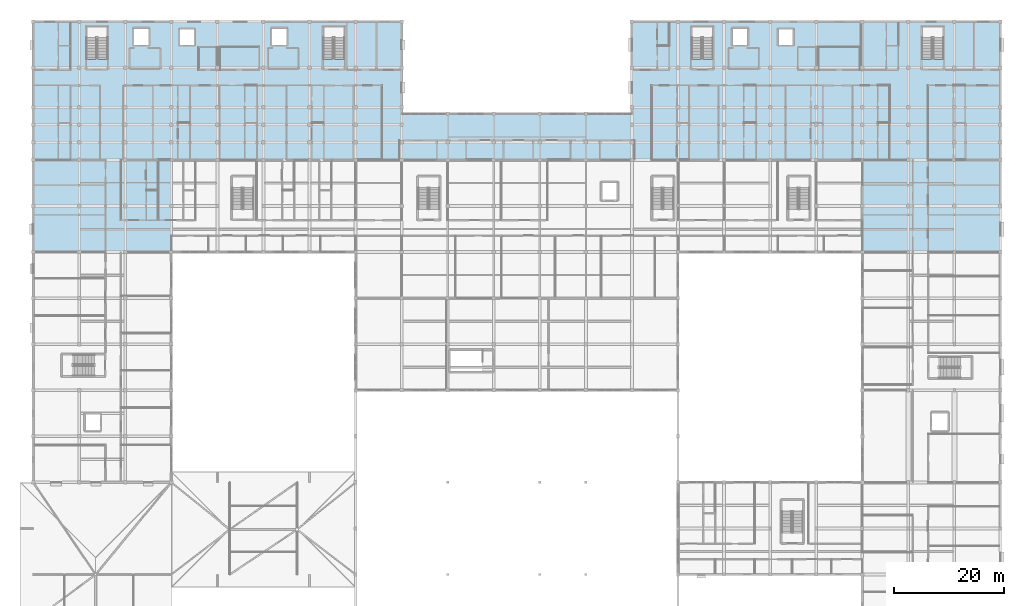
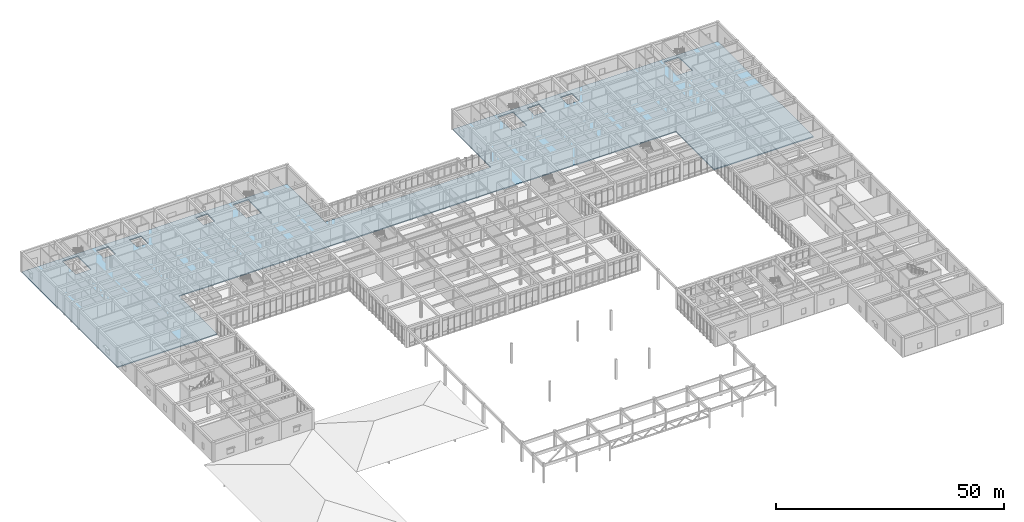
# One storey, part 47 of 89: 1 slab.
"""IFC4 building model written with IfcOpenShell, lengths in metres."""

import ifcopenshell
import ifcopenshell.guid

model = None  # the IFC model being written
_history = None  # IfcOwnerHistory: only IFC2X3 demands one
_inside = {}  # id of a spatial element -> (the spatial element, [elements in it])
_under = {}  # id of a project, library or spatial element -> (it, [spatial elements below it])
_declared = {}  # id of a project -> (the project, [libraries it declares])
_typed = {}  # id of a type object -> (the type object, [elements of that type])
_made_of = {}  # id of a material, layer set ... -> (it, [elements and type objects made of it])


def new_model(schema):
    """Start an empty IFC model of exactly this schema.

    Asked for "IFC4X3", IfcOpenShell would pick the latest addendum, in which some entities
    have other attributes; the version numbers below select the first issue.
    IFC2X3 requires an IfcOwnerHistory on every rooted entity: one is made here for all.
    """
    global model, _history
    if schema == "IFC4X3":
        model = ifcopenshell.file(schema_version=(4, 3, 0, 0))
    else:
        model = ifcopenshell.file(schema=schema)
    _inside.clear()
    _under.clear()
    _declared.clear()
    _typed.clear()
    _made_of.clear()
    _history = None
    if model.schema == "IFC2X3":
        org = make("IfcOrganization", Name="unknown")
        user = make(
            "IfcPersonAndOrganization",
            ThePerson=make("IfcPerson", FamilyName="unknown"),
            TheOrganization=org,
        )
        app = make(
            "IfcApplication",
            ApplicationDeveloper=org,
            Version="unknown",
            ApplicationFullName="unknown",
            ApplicationIdentifier="unknown",
        )
        _history = make(
            "IfcOwnerHistory",
            OwningUser=user,
            OwningApplication=app,
            ChangeAction="ADDED",
            CreationDate=0,
        )
    return model


def make(cls, **values):
    """One entity of the class cls with the attributes given. An attribute that is None is left unset."""
    return model.create_entity(
        cls, **{name: value for name, value in values.items() if value is not None}
    )


def rooted(cls, **values):
    """An entity with a GlobalId (a new one), such as an element, a storey or a relation."""
    return make(cls, GlobalId=ifcopenshell.guid.new(), OwnerHistory=_history, **values)


def si_unit(unit_type, name, prefix=None):
    """IfcSIUnit, for example si_unit("LENGTHUNIT", "METRE", prefix="MILLI")."""
    return make("IfcSIUnit", UnitType=unit_type, Prefix=prefix, Name=name)


def assignment(units):
    """IfcUnitAssignment: the units of a project."""
    return None if units is None else make("IfcUnitAssignment", Units=units)


def point(xyz):
    """IfcCartesianPoint."""
    return None if xyz is None else make("IfcCartesianPoint", Coordinates=xyz)


def direction(xyz):
    """IfcDirection."""
    return None if xyz is None else make("IfcDirection", DirectionRatios=xyz)


def frame(location, z_axis=None, x_axis=None):
    """IfcAxis2Placement3D, a coordinate frame: its origin and axes. An axis left out is left unset."""
    return make(
        "IfcAxis2Placement3D",
        Location=point(location),
        Axis=direction(z_axis),
        RefDirection=direction(x_axis),
    )


def origin():
    """The frame at (0, 0, 0) with its axes left unset."""
    return frame((0.0, 0.0, 0.0))


def place(relative_to, where):
    """IfcLocalPlacement: puts the frame where relative to a parent placement (None: the world)."""
    return make(
        "IfcLocalPlacement", PlacementRelTo=relative_to, RelativePlacement=where
    )


def context(
    kind, dimensions, precision=None, world=None, true_north=None, identifier=None
):
    """IfcGeometricRepresentationContext, for example the 3D "Model" context."""
    return make(
        "IfcGeometricRepresentationContext",
        ContextIdentifier=identifier,
        ContextType=kind,
        CoordinateSpaceDimension=dimensions,
        Precision=precision,
        WorldCoordinateSystem=world,
        TrueNorth=true_north,
    )


def subcontext(parent, identifier, kind, view, scale=None):
    """IfcGeometricRepresentationSubContext, for example "Body" below "Model"."""
    return make(
        "IfcGeometricRepresentationSubContext",
        ContextIdentifier=identifier,
        ContextType=kind,
        ParentContext=parent,
        TargetScale=scale,
        TargetView=view,
    )


def project(units=None, contexts=None):
    """IfcProject with its units and contexts."""
    return rooted(
        "IfcProject",
        Name="project",
        RepresentationContexts=contexts,
        UnitsInContext=assignment(units),
    )


def spatial(cls, under=None, at=None, **own):
    """A site, building, storey or space (cls), placed at a placement, below another one or the project."""
    s = rooted(cls, ObjectPlacement=at, **own)
    if under is not None:
        _under.setdefault(under.id(), (under, []))[1].append(s)
    return s


def polyline(points):
    """IfcPolyline through the points."""
    return make("IfcPolyline", Points=[point(p) for p in points])


def outline(outer, holes=None, kind="AREA"):
    """IfcArbitraryClosedProfileDef: a profile drawn as a closed curve; with holes, ...WithVoids."""
    if holes is None:
        return make("IfcArbitraryClosedProfileDef", ProfileType=kind, OuterCurve=outer)
    return make(
        "IfcArbitraryProfileDefWithVoids",
        ProfileType=kind,
        OuterCurve=outer,
        InnerCurves=holes,
    )


def extrude(swept, where, along, depth):
    """IfcExtrudedAreaSolid: the profile swept, set in the frame where, extruded along a direction by depth."""
    return make(
        "IfcExtrudedAreaSolid",
        SweptArea=swept,
        Position=where,
        ExtrudedDirection=direction(along),
        Depth=depth,
    )


def shape(context_of_items, identifier, shape_type, items):
    """IfcShapeRepresentation: the items that make up one representation, for example the "Body"."""
    return make(
        "IfcShapeRepresentation",
        ContextOfItems=context_of_items,
        RepresentationIdentifier=identifier,
        RepresentationType=shape_type,
        Items=items,
    )


def material(Name=None, Category=None):
    """IfcMaterial."""
    return make("IfcMaterial", Name=Name, Category=Category)


def layer(
    of_material, thickness, ventilated=None, Name=None, Category=None, Priority=None
):
    """IfcMaterialLayer: one layer of a wall or slab, of a material (None: an air gap)."""
    return make(
        "IfcMaterialLayer",
        Material=of_material,
        LayerThickness=thickness,
        IsVentilated=ventilated,
        Name=Name,
        Category=Category,
        Priority=Priority,
    )


def layer_set(layers, Name=None):
    """IfcMaterialLayerSet."""
    return make("IfcMaterialLayerSet", MaterialLayers=layers, LayerSetName=Name)


def made_of(thing, what):
    """Note that an element or type object is made of a material, layer set ...; save() writes the relation."""
    if what is not None:
        _made_of.setdefault(what.id(), (what, []))[1].append(thing)
    return thing


def type_object(cls, material=None, **own):
    """A type object (cls), such as IfcWallType, which elements share."""
    return made_of(rooted(cls, **own), material)


def element(
    cls,
    number,
    at=None,
    inside=None,
    cuts=None,
    type_object=None,
    material=None,
    context=None,
    identifier="Body",
    shape_type=None,
    held_by="IfcProductDefinitionShape",
    body=None,
    shapes=None,
    **own,
):
    """One element of the class cls, such as IfcWall. Its Tag is "e" and its number.

    at: its placement. inside: the storey or other place that contains it. cuts: it is an
    opening in that element (IfcRelVoidsElement). A single representation is given by context,
    identifier, shape_type and body (its items); several are given by shapes. held_by: the class
    of the entity that holds the representations. save() writes the other relations.
    """
    e = rooted(cls, Tag="e%d" % number, ObjectPlacement=at, **own)
    if body is not None:
        shapes = [shape(context, identifier, shape_type, body)]
    if shapes is not None:
        e.Representation = make(held_by, Representations=shapes)
    if inside is not None:
        _inside.setdefault(inside.id(), (inside, []))[1].append(e)
    if cuts is not None:
        rooted(
            "IfcRelVoidsElement", RelatingBuildingElement=cuts, RelatedOpeningElement=e
        )
    if type_object is not None:
        _typed.setdefault(type_object.id(), (type_object, []))[1].append(e)
    return made_of(e, material)


def aggregate(whole, parts):
    """IfcRelAggregates: a whole, such as a stair, and the parts it consists of."""
    return rooted("IfcRelAggregates", RelatingObject=whole, RelatedObjects=parts)


def save(model, path):
    """Write the relations noted so far, then the file.

    IfcRelAggregates (storeys below a building ...), IfcRelContainedInSpatialStructure (elements
    in a storey), IfcRelDefinesByType, IfcRelAssociatesMaterial and IfcRelDeclares: one each for
    every whole, place, type object, material and project.
    """
    for whole, parts in _under.values():
        aggregate(whole, parts)
    for where, things in _inside.values():
        rooted(
            "IfcRelContainedInSpatialStructure",
            RelatedElements=things,
            RelatingStructure=where,
        )
    for kind, things in _typed.values():
        rooted("IfcRelDefinesByType", RelatedObjects=things, RelatingType=kind)
    for what, things in _made_of.values():
        rooted("IfcRelAssociatesMaterial", RelatedObjects=things, RelatingMaterial=what)
    for by, libraries in _declared.values():
        rooted("IfcRelDeclares", RelatingContext=by, RelatedDefinitions=libraries)
    model.write(path)


model = new_model("IFC4")

# Units and contexts
model_context = context("Model", 3, precision=1e-05, world=origin(), true_north=direction((0.0, 1.0)))
body_context = subcontext(model_context, "Body", "Model", "MODEL_VIEW")
ifc_project = project(units=[si_unit("LENGTHUNIT", "METRE"), si_unit("AREAUNIT", "SQUARE_METRE"), si_unit("VOLUMEUNIT", "CUBIC_METRE"), si_unit("PLANEANGLEUNIT", "RADIAN"), si_unit("MASSUNIT", "GRAM", prefix="KILO")], contexts=[model_context])

# Site, building, storey
site_placement = place(None, origin())
site = spatial("IfcSite", under=ifc_project, at=site_placement, CompositionType="ELEMENT")
building_placement = place(site_placement, origin())
building = spatial("IfcBuilding", under=site, at=building_placement, Name="Varncliffe General Hospital", CompositionType="ELEMENT")
storey_placement = place(building_placement, frame((0.0, 0.0, 10.800048828125)))
storey = spatial("IfcBuildingStorey", under=building, at=storey_placement, Name="L02", CompositionType="ELEMENT", Elevation=10.800048828125)

# Slab
ifc_material = material(Name="Concrete C35/45 (CSA A23.1 35 MPa)", Category="concrete")
ifc_layer = layer(ifc_material, 0.27001953125)
ifc_layer_set = layer_set([ifc_layer], Name="Concrete C35/45 (CSA A23.1 35 MPa)")
slab_type = type_object("IfcSlabType", Name="Floor Slab SL33 (Int 270mm)", PredefinedType="FLOOR", material=ifc_layer_set)
slab_placement = place(storey_placement, frame((0.0, 0.0, -0.27001953125)))
element("IfcSlab", 1, at=slab_placement, inside=storey, type_object=slab_type, Name="L02 V6 Structural Floor Slab 1", PredefinedType="FLOOR", context=body_context, shape_type="SweptSolid", body=[
    extrude(outline(polyline([(0.0, 99.60009765625), (0.0, 124.800048828125), (67.199951171875, 124.800048828125), (67.199951171875, 108.0), (109.199951171875, 108.0), (109.199951171875, 124.800048828125), (176.39990234375, 124.800048828125), (176.39990234375, 99.60009765625), (176.39990234375, 82.800048828125), (151.199951171875, 82.800048828125), (151.199951171875, 99.60009765625), (109.199951171875, 99.60009765625), (67.199951171875, 99.60009765625), (25.199951171875, 99.60009765625), (25.199951171875, 82.800048828125), (0.0, 82.800048828125), (0.0, 99.60009765625)]), holes=[polyline([(13.60009765625, 118.0), (13.60009765625, 123.949951171875), (9.699951171875, 123.949951171875), (9.699951171875, 118.0), (13.60009765625, 118.0)]), polyline([(56.800048828125, 118.0), (56.800048828125, 123.949951171875), (52.89990234375, 123.949951171875), (52.89990234375, 118.0), (56.800048828125, 118.0)]), polyline([(124.0, 118.0), (124.0, 123.949951171875), (120.10009765625, 123.949951171875), (120.10009765625, 118.0), (124.0, 118.0)]), polyline([(166.0, 118.0), (166.0, 123.949951171875), (162.10009765625, 123.949951171875), (162.10009765625, 118.0), (166.0, 118.0)]), polyline([(18.199951171875, 120.39990234375), (21.199951171875, 120.39990234375), (21.199951171875, 123.699951171875), (18.199951171875, 123.699951171875), (18.199951171875, 120.39990234375)]), polyline([(43.39990234375, 120.39990234375), (46.39990234375, 120.39990234375), (46.39990234375, 123.699951171875), (43.39990234375, 123.699951171875), (43.39990234375, 120.39990234375)]), polyline([(127.39990234375, 120.39990234375), (130.39990234375, 120.39990234375), (130.39990234375, 123.699951171875), (127.39990234375, 123.699951171875), (127.39990234375, 120.39990234375)]), polyline([(26.60009765625, 120.39990234375), (29.5, 120.39990234375), (29.5, 123.60009765625), (26.60009765625, 123.60009765625), (26.60009765625, 120.39990234375)]), polyline([(135.800048828125, 120.39990234375), (138.699951171875, 120.39990234375), (138.699951171875, 123.60009765625), (135.800048828125, 123.60009765625), (135.800048828125, 120.39990234375)])]), origin(), (0.0, 0.0, 1.0), 0.27001953125),
])

save(model, "model.ifc")
